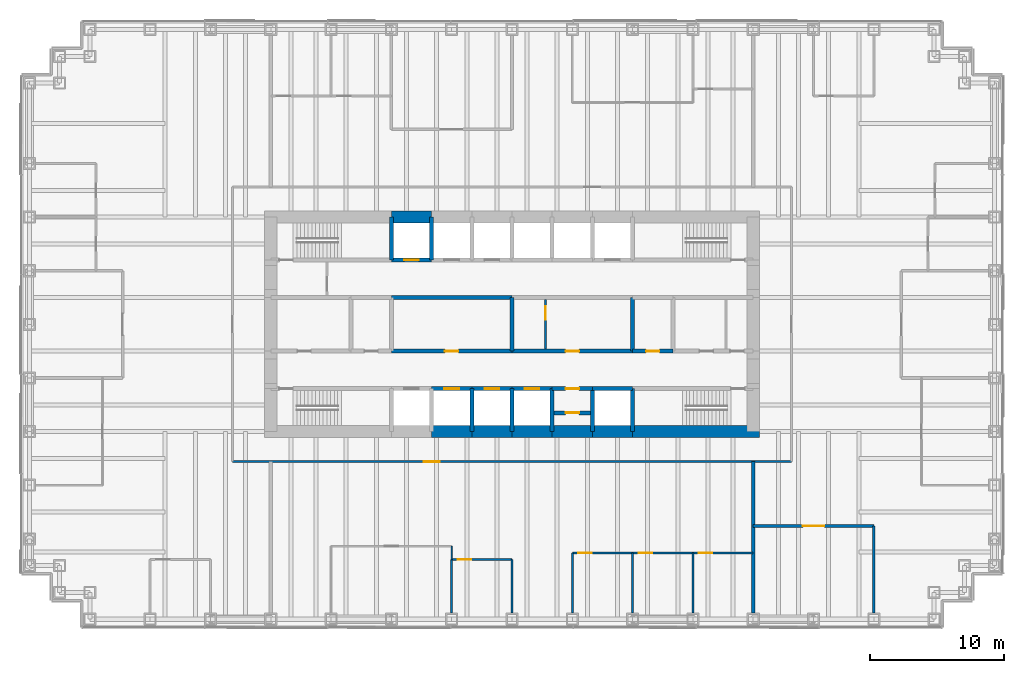
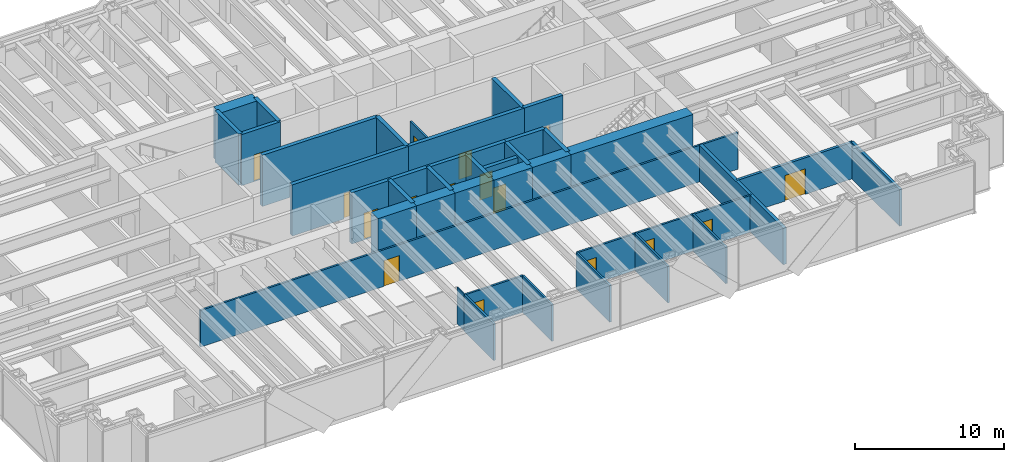
# One storey, part 12 of 15: 40 walls, 16 doors, 16 openings.
"""IFC4 building model written with IfcOpenShell, lengths in metres."""

from ifc_helpers import new_model, si_unit, direction, frame, frame_2d, origin, place, context, subcontext, project, spatial, rectangle, extrude, material, layer, layer_set, type_object, element, fill, save


model = new_model("IFC4")

# Units and contexts
model_context = context("Model", 3, precision=1e-05, world=origin(), true_north=direction((0.0, 1.0)))
body_context = subcontext(model_context, "Body", "Model", "MODEL_VIEW")
ifc_project = project(units=[si_unit("LENGTHUNIT", "METRE"), si_unit("AREAUNIT", "SQUARE_METRE"), si_unit("VOLUMEUNIT", "CUBIC_METRE"), si_unit("PLANEANGLEUNIT", "RADIAN"), si_unit("MASSUNIT", "GRAM", prefix="KILO")], contexts=[model_context])

# Site, building, storey
site_placement = place(None, origin())
site = spatial("IfcSite", under=ifc_project, at=site_placement, CompositionType="ELEMENT")
building_placement = place(site_placement, origin())
building = spatial("IfcBuilding", under=site, at=building_placement, Name="Rheinbord Bourse Tower", CompositionType="ELEMENT")
storey_placement = place(building_placement, frame((0.0, 0.0, 142.5)))
storey = spatial("IfcBuildingStorey", under=building, at=storey_placement, Name="L31", CompositionType="ELEMENT", Elevation=142.5)

# Wall, opening, door
ifc_material_1 = material(Name="Acoustic gypsum board partition", Category="gypsum board")
ifc_layer_1 = layer(ifc_material_1, 0.199951171875)
ifc_layer_set_1 = layer_set([ifc_layer_1], Name="ACOUSTIC PARTITION 200")
wall_type_1 = type_object("IfcWallType", Name="ACOUSTIC PARTITION 200", PredefinedType="PARTITIONING", material=ifc_layer_set_1)
wall_1_placement = place(storey_placement, frame((54.0, 8.949951171875, 0.0), z_axis=(0.0, 0.0, 1.0), x_axis=(1.0, 0.0, 0.0)))
wall_1 = element("IfcWall", 1, at=wall_1_placement, inside=storey, type_object=wall_type_1, Name="Partition L31-05", PredefinedType="PARTITIONING", context=body_context, shape_type="SweptSolid", body=[
    extrude(rectangle(XDim=9.0, YDim=0.199951171875, at=frame_2d((4.5, 0.0))), origin(), (0.0, 0.0, 1.0), 3.0),
])
opening_1_placement = place(wall_1_placement, frame((3.699951171875, 0.0, 0.0)))
opening_1 = element("IfcOpeningElement", 2, at=opening_1_placement, cuts=wall_1, Name="Opening 31D07", PredefinedType="OPENING", context=body_context, shape_type="SweptSolid", body=[
    extrude(rectangle(XDim=1.60009765625, YDim=2.10009765625, at=frame_2d((0.800048828125, 1.050048828125))), frame((0.0, 0.10986328125, 0.0), z_axis=(0.0, -1.0, 0.0), x_axis=(1.0, 0.0, 0.0)), (0.0, 0.0, 1.0), 0.219970703125),
])
ifc_material_2 = material(Name="Timber door", Category="wood")
door_type_1 = type_object("IfcDoorType", Name="DOUBLE ROOM DOOR 1600", OperationType="DOUBLE_DOOR_DOUBLE_SWING", PredefinedType="DOOR", material=ifc_material_2)
door_1_placement = place(opening_1_placement, origin())
door_1 = element("IfcDoor", 3, at=door_1_placement, inside=storey, type_object=door_type_1, Name="Suite boardroom door L31", OperationType="SINGLE_SWING_LEFT", OverallHeight=2.10009765625, OverallWidth=1.60009765625, PredefinedType="DOOR", context=body_context, shape_type="SweptSolid", body=[
    extrude(rectangle(XDim=1.60009765625, YDim=2.10009765625, at=frame_2d((0.800048828125, 1.050048828125))), frame((0.0, 0.02490234375, 0.0), z_axis=(0.0, -1.0, 0.0), x_axis=(1.0, 0.0, 0.0)), (0.0, 0.0, 1.0), 0.050048828125),
])
fill(opening_1, door_1)

# Wall
wall_2_placement = place(storey_placement, frame((63.0, 2.449951171875, 0.0), z_axis=(0.0, 0.0, 1.0), x_axis=(0.0, 1.0, 0.0)))
element("IfcWall", 4, at=wall_2_placement, inside=storey, type_object=wall_type_1, Name="Partition L31-48", PredefinedType="PARTITIONING", context=body_context, shape_type="SweptSolid", body=[
    extrude(rectangle(XDim=6.5, YDim=0.199951171875, at=frame_2d((3.25, 0.0))), origin(), (0.0, 0.0, 1.0), 3.0),
])

# Wall, opening, door
ifc_material_3 = material(Name="Concrete C50/60", Category="concrete")
ifc_layer_2 = layer(ifc_material_3, 0.300048828125)
ifc_layer_set_2 = layer_set([ifc_layer_2], Name="CORE INNER WALL 300")
wall_type_2 = type_object("IfcWallType", Name="CORE INNER WALL 300", PredefinedType="SOLIDWALL", material=ifc_layer_set_2)
wall_3_placement = place(storey_placement, frame((30.0, 19.199951171875, 0.0), z_axis=(0.0, 0.0, 1.0), x_axis=(1.0, 0.0, 0.0)))
wall_3 = element("IfcWall", 5, at=wall_3_placement, inside=storey, type_object=wall_type_2, Name="Core wall A3 L31", PredefinedType="SOLIDWALL", context=body_context, shape_type="SweptSolid", body=[
    extrude(rectangle(XDim=3.0, YDim=0.300048828125, at=frame_2d((1.5, 0.0))), origin(), (0.0, 0.0, 1.0), 4.199951171875),
])
opening_2_placement = place(wall_3_placement, frame((0.949951171875, 0.0, 0.0)))
opening_2 = element("IfcOpeningElement", 6, at=opening_2_placement, cuts=wall_3, Name="Opening PB1", PredefinedType="OPENING", context=body_context, shape_type="SweptSolid", body=[
    extrude(rectangle(XDim=1.10009765625, YDim=2.199951171875, at=frame_2d((0.550048828125, 1.10009765625))), frame((0.0, 0.159912109375, 0.0), z_axis=(0.0, -1.0, 0.0), x_axis=(1.0, 0.0, 0.0)), (0.0, 0.0, 1.0), 0.320068359375),
])
ifc_material_4 = material(Name="Steel landing door", Category="steel")
door_type_2 = type_object("IfcDoorType", Name="LIFT LANDING DOOR 1100", OperationType="DOUBLE_DOOR_SLIDING", PredefinedType="USERDEFINED", material=ifc_material_4)
door_2_placement = place(opening_2_placement, origin())
door_2 = element("IfcDoor", 7, at=door_2_placement, inside=storey, type_object=door_type_2, Name="Lift landing door PB1 L31", ObjectType="LIFT LANDING DOOR", OperationType="DOUBLE_DOOR_SLIDING", OverallHeight=2.199951171875, OverallWidth=1.10009765625, PredefinedType="USERDEFINED", context=body_context, shape_type="SweptSolid", body=[
    extrude(rectangle(XDim=1.10009765625, YDim=2.199951171875, at=frame_2d((0.550048828125, 1.10009765625))), frame((0.0, 0.02490234375, 0.0), z_axis=(0.0, -1.0, 0.0), x_axis=(1.0, 0.0, 0.0)), (0.0, 0.0, 1.0), 0.050048828125),
])
fill(opening_2, door_2)

wall_4_placement = place(storey_placement, frame((33.0, 19.199951171875, 0.0), z_axis=(0.0, 0.0, 1.0), x_axis=(1.0, 0.0, 0.0)))
wall_4 = element("IfcWall", 8, at=wall_4_placement, inside=storey, type_object=wall_type_2, Name="Core wall A4 L31", PredefinedType="SOLIDWALL", context=body_context, shape_type="SweptSolid", body=[
    extrude(rectangle(XDim=3.0, YDim=0.300048828125, at=frame_2d((1.5, 0.0))), origin(), (0.0, 0.0, 1.0), 4.199951171875),
])
opening_3_placement = place(wall_4_placement, frame((0.949951171875, 0.0, 0.0)))
opening_3 = element("IfcOpeningElement", 9, at=opening_3_placement, cuts=wall_4, Name="Opening PB2", PredefinedType="OPENING", context=body_context, shape_type="SweptSolid", body=[
    extrude(rectangle(XDim=1.10009765625, YDim=2.199951171875, at=frame_2d((0.550048828125, 1.10009765625))), frame((0.0, 0.159912109375, 0.0), z_axis=(0.0, -1.0, 0.0), x_axis=(1.0, 0.0, 0.0)), (0.0, 0.0, 1.0), 0.320068359375),
])
door_3_placement = place(opening_3_placement, origin())
door_3 = element("IfcDoor", 10, at=door_3_placement, inside=storey, type_object=door_type_2, Name="Lift landing door PB2 L31", ObjectType="LIFT LANDING DOOR", OperationType="DOUBLE_DOOR_SLIDING", OverallHeight=2.199951171875, OverallWidth=1.10009765625, PredefinedType="USERDEFINED", context=body_context, shape_type="SweptSolid", body=[
    extrude(rectangle(XDim=1.10009765625, YDim=2.199951171875, at=frame_2d((0.550048828125, 1.10009765625))), frame((0.0, 0.02490234375, 0.0), z_axis=(0.0, -1.0, 0.0), x_axis=(1.0, 0.0, 0.0)), (0.0, 0.0, 1.0), 0.050048828125),
])
fill(opening_3, door_3)

wall_5_placement = place(storey_placement, frame((36.0, 19.199951171875, 0.0), z_axis=(0.0, 0.0, 1.0), x_axis=(1.0, 0.0, 0.0)))
wall_5 = element("IfcWall", 11, at=wall_5_placement, inside=storey, type_object=wall_type_2, Name="Core wall A5 L31", PredefinedType="SOLIDWALL", context=body_context, shape_type="SweptSolid", body=[
    extrude(rectangle(XDim=3.0, YDim=0.300048828125, at=frame_2d((1.5, 0.0))), origin(), (0.0, 0.0, 1.0), 4.199951171875),
])
opening_4_placement = place(wall_5_placement, frame((0.949951171875, 0.0, 0.0)))
opening_4 = element("IfcOpeningElement", 12, at=opening_4_placement, cuts=wall_5, Name="Opening PB3", PredefinedType="OPENING", context=body_context, shape_type="SweptSolid", body=[
    extrude(rectangle(XDim=1.10009765625, YDim=2.199951171875, at=frame_2d((0.550048828125, 1.10009765625))), frame((0.0, 0.159912109375, 0.0), z_axis=(0.0, -1.0, 0.0), x_axis=(1.0, 0.0, 0.0)), (0.0, 0.0, 1.0), 0.320068359375),
])
door_4_placement = place(opening_4_placement, origin())
door_4 = element("IfcDoor", 13, at=door_4_placement, inside=storey, type_object=door_type_2, Name="Lift landing door PB3 L31", ObjectType="LIFT LANDING DOOR", OperationType="DOUBLE_DOOR_SLIDING", OverallHeight=2.199951171875, OverallWidth=1.10009765625, PredefinedType="USERDEFINED", context=body_context, shape_type="SweptSolid", body=[
    extrude(rectangle(XDim=1.10009765625, YDim=2.199951171875, at=frame_2d((0.550048828125, 1.10009765625))), frame((0.0, 0.02490234375, 0.0), z_axis=(0.0, -1.0, 0.0), x_axis=(1.0, 0.0, 0.0)), (0.0, 0.0, 1.0), 0.050048828125),
])
fill(opening_4, door_4)

wall_6_placement = place(storey_placement, frame((39.0, 19.199951171875, 0.0), z_axis=(0.0, 0.0, 1.0), x_axis=(1.0, 0.0, 0.0)))
wall_6 = element("IfcWall", 14, at=wall_6_placement, inside=storey, type_object=wall_type_2, Name="Core wall A6 L31", PredefinedType="SOLIDWALL", context=body_context, shape_type="SweptSolid", body=[
    extrude(rectangle(XDim=3.0, YDim=0.300048828125, at=frame_2d((1.5, 0.0))), origin(), (0.0, 0.0, 1.0), 4.199951171875),
])
opening_5_placement = place(wall_6_placement, frame((1.0, 0.0, 0.0)))
opening_5 = element("IfcOpeningElement", 15, at=opening_5_placement, cuts=wall_6, Name="Opening 31R8", PredefinedType="OPENING", context=body_context, shape_type="SweptSolid", body=[
    extrude(rectangle(XDim=1.0, YDim=2.10009765625, at=frame_2d((0.5, 1.050048828125))), frame((0.0, 0.159912109375, 0.0), z_axis=(0.0, -1.0, 0.0), x_axis=(1.0, 0.0, 0.0)), (0.0, 0.0, 1.0), 0.320068359375),
])
ifc_material_5 = material(Name="Steel door", Category="steel")
door_type_3 = type_object("IfcDoorType", Name="DOOR 1000 EI30", OperationType="SINGLE_SWING_LEFT", PredefinedType="DOOR", material=ifc_material_5)
door_5_placement = place(opening_5_placement, origin())
door_5 = element("IfcDoor", 16, at=door_5_placement, inside=storey, type_object=door_type_3, Name="IT room door L31", OperationType="SINGLE_SWING_LEFT", OverallHeight=2.10009765625, OverallWidth=1.0, PredefinedType="DOOR", context=body_context, shape_type="SweptSolid", body=[
    extrude(rectangle(XDim=1.0, YDim=2.10009765625, at=frame_2d((0.5, 1.050048828125))), frame((0.0, 0.02490234375, 0.0), z_axis=(0.0, -1.0, 0.0), x_axis=(1.0, 0.0, 0.0)), (0.0, 0.0, 1.0), 0.050048828125),
])
fill(opening_5, door_5)

# Wall
wall_7_placement = place(storey_placement, frame((42.0, 19.199951171875, 0.0), z_axis=(0.0, 0.0, 1.0), x_axis=(1.0, 0.0, 0.0)))
element("IfcWall", 17, at=wall_7_placement, inside=storey, type_object=wall_type_2, Name="Core wall A7 L31", PredefinedType="SOLIDWALL", context=body_context, shape_type="SweptSolid", body=[
    extrude(rectangle(XDim=3.0, YDim=0.300048828125, at=frame_2d((1.5, 0.0))), origin(), (0.0, 0.0, 1.0), 4.199951171875),
])

# Wall, opening, door
wall_8_placement = place(storey_placement, frame((27.0, 28.800048828125, 0.0), z_axis=(0.0, 0.0, 1.0), x_axis=(1.0, 0.0, 0.0)))
wall_8 = element("IfcWall", 18, at=wall_8_placement, inside=storey, type_object=wall_type_2, Name="Core wall B2 L31", PredefinedType="SOLIDWALL", context=body_context, shape_type="SweptSolid", body=[
    extrude(rectangle(XDim=3.0, YDim=0.300048828125, at=frame_2d((1.5, 0.0))), origin(), (0.0, 0.0, 1.0), 4.199951171875),
])
opening_6_placement = place(wall_8_placement, frame((0.949951171875, 0.0, 0.0)))
opening_6 = element("IfcOpeningElement", 19, at=opening_6_placement, cuts=wall_8, Name="Opening GL1", PredefinedType="OPENING", context=body_context, shape_type="SweptSolid", body=[
    extrude(rectangle(XDim=1.10009765625, YDim=2.199951171875, at=frame_2d((0.550048828125, 1.10009765625))), frame((0.0, 0.159912109375, 0.0), z_axis=(0.0, -1.0, 0.0), x_axis=(1.0, 0.0, 0.0)), (0.0, 0.0, 1.0), 0.320068359375),
])
door_6_placement = place(opening_6_placement, origin())
door_6 = element("IfcDoor", 20, at=door_6_placement, inside=storey, type_object=door_type_2, Name="Lift landing door GL1 L31", ObjectType="LIFT LANDING DOOR", OperationType="DOUBLE_DOOR_SLIDING", OverallHeight=2.199951171875, OverallWidth=1.10009765625, PredefinedType="USERDEFINED", context=body_context, shape_type="SweptSolid", body=[
    extrude(rectangle(XDim=1.10009765625, YDim=2.199951171875, at=frame_2d((0.550048828125, 1.10009765625))), frame((0.0, 0.02490234375, 0.0), z_axis=(0.0, -1.0, 0.0), x_axis=(1.0, 0.0, 0.0)), (0.0, 0.0, 1.0), 0.050048828125),
])
fill(opening_6, door_6)

wall_9_placement = place(storey_placement, frame((27.0, 22.0, 0.0), z_axis=(0.0, 0.0, 1.0), x_axis=(1.0, 0.0, 0.0)))
wall_9 = element("IfcWall", 21, at=wall_9_placement, inside=storey, type_object=wall_type_2, Name="Core wall C3 L31", PredefinedType="SOLIDWALL", context=body_context, shape_type="SweptSolid", body=[
    extrude(rectangle(XDim=9.0, YDim=0.300048828125, at=frame_2d((4.5, 0.0))), origin(), (0.0, 0.0, 1.0), 4.199951171875),
])
opening_7_placement = place(wall_9_placement, frame((4.0, 0.0, 0.0)))
opening_7 = element("IfcOpeningElement", 22, at=opening_7_placement, cuts=wall_9, Name="Opening 31R3", PredefinedType="OPENING", context=body_context, shape_type="SweptSolid", body=[
    extrude(rectangle(XDim=1.0, YDim=2.10009765625, at=frame_2d((0.5, 1.050048828125))), frame((0.0, 0.159912109375, 0.0), z_axis=(0.0, -1.0, 0.0), x_axis=(1.0, 0.0, 0.0)), (0.0, 0.0, 1.0), 0.320068359375),
])
door_7_placement = place(opening_7_placement, origin())
door_7 = element("IfcDoor", 23, at=door_7_placement, inside=storey, type_object=door_type_3, Name="Riser door L31", OperationType="SINGLE_SWING_LEFT", OverallHeight=2.10009765625, OverallWidth=1.0, PredefinedType="DOOR", context=body_context, shape_type="SweptSolid", body=[
    extrude(rectangle(XDim=1.0, YDim=2.10009765625, at=frame_2d((0.5, 1.050048828125))), frame((0.0, 0.02490234375, 0.0), z_axis=(0.0, -1.0, 0.0), x_axis=(1.0, 0.0, 0.0)), (0.0, 0.0, 1.0), 0.050048828125),
])
fill(opening_7, door_7)

wall_10_placement = place(storey_placement, frame((36.0, 22.0, 0.0), z_axis=(0.0, 0.0, 1.0), x_axis=(1.0, 0.0, 0.0)))
wall_10 = element("IfcWall", 24, at=wall_10_placement, inside=storey, type_object=wall_type_2, Name="Core wall C4 L31", PredefinedType="SOLIDWALL", context=body_context, shape_type="SweptSolid", body=[
    extrude(rectangle(XDim=9.0, YDim=0.300048828125, at=frame_2d((4.5, 0.0))), origin(), (0.0, 0.0, 1.0), 4.199951171875),
])
opening_8_placement = place(wall_10_placement, frame((4.0, 0.0, 0.0)))
opening_8 = element("IfcOpeningElement", 25, at=opening_8_placement, cuts=wall_10, Name="Opening 31R4", PredefinedType="OPENING", context=body_context, shape_type="SweptSolid", body=[
    extrude(rectangle(XDim=1.0, YDim=2.10009765625, at=frame_2d((0.5, 1.050048828125))), frame((0.0, 0.159912109375, 0.0), z_axis=(0.0, -1.0, 0.0), x_axis=(1.0, 0.0, 0.0)), (0.0, 0.0, 1.0), 0.320068359375),
])
door_8_placement = place(opening_8_placement, origin())
door_8 = element("IfcDoor", 26, at=door_8_placement, inside=storey, type_object=door_type_3, Name="Store door L31", OperationType="SINGLE_SWING_LEFT", OverallHeight=2.10009765625, OverallWidth=1.0, PredefinedType="DOOR", context=body_context, shape_type="SweptSolid", body=[
    extrude(rectangle(XDim=1.0, YDim=2.10009765625, at=frame_2d((0.5, 1.050048828125))), frame((0.0, 0.02490234375, 0.0), z_axis=(0.0, -1.0, 0.0), x_axis=(1.0, 0.0, 0.0)), (0.0, 0.0, 1.0), 0.050048828125),
])
fill(opening_8, door_8)

wall_11_placement = place(storey_placement, frame((45.0, 22.0, 0.0), z_axis=(0.0, 0.0, 1.0), x_axis=(1.0, 0.0, 0.0)))
wall_11 = element("IfcWall", 27, at=wall_11_placement, inside=storey, type_object=wall_type_2, Name="Core wall C5 L31", PredefinedType="SOLIDWALL", context=body_context, shape_type="SweptSolid", body=[
    extrude(rectangle(XDim=3.0, YDim=0.300048828125, at=frame_2d((1.5, 0.0))), origin(), (0.0, 0.0, 1.0), 4.199951171875),
])
opening_9_placement = place(wall_11_placement, frame((1.0, 0.0, 0.0)))
opening_9 = element("IfcOpeningElement", 28, at=opening_9_placement, cuts=wall_11, Name="Opening 31R5", PredefinedType="OPENING", context=body_context, shape_type="SweptSolid", body=[
    extrude(rectangle(XDim=1.0, YDim=2.10009765625, at=frame_2d((0.5, 1.050048828125))), frame((0.0, 0.159912109375, 0.0), z_axis=(0.0, -1.0, 0.0), x_axis=(1.0, 0.0, 0.0)), (0.0, 0.0, 1.0), 0.320068359375),
])
ifc_material_6 = material(Name="Timber door", Category="wood")
door_type_4 = type_object("IfcDoorType", Name="DOOR 1000 WC", OperationType="SINGLE_SWING_LEFT", PredefinedType="DOOR", material=ifc_material_6)
door_9_placement = place(opening_9_placement, origin())
door_9 = element("IfcDoor", 29, at=door_9_placement, inside=storey, type_object=door_type_4, Name="Accessible WC door L31", OperationType="SINGLE_SWING_LEFT", OverallHeight=2.10009765625, OverallWidth=1.0, PredefinedType="DOOR", context=body_context, shape_type="SweptSolid", body=[
    extrude(rectangle(XDim=1.0, YDim=2.10009765625, at=frame_2d((0.5, 1.050048828125))), frame((0.0, 0.02490234375, 0.0), z_axis=(0.0, -1.0, 0.0), x_axis=(1.0, 0.0, 0.0)), (0.0, 0.0, 1.0), 0.050048828125),
])
fill(opening_9, door_9)

# Walls
wall_12_placement = place(storey_placement, frame((27.0, 26.0, 0.0), z_axis=(0.0, 0.0, 1.0), x_axis=(1.0, 0.0, 0.0)))
element("IfcWall", 30, at=wall_12_placement, inside=storey, type_object=wall_type_2, Name="Core wall D3 L31", PredefinedType="SOLIDWALL", context=body_context, shape_type="SweptSolid", body=[
    extrude(rectangle(XDim=9.0, YDim=0.300048828125, at=frame_2d((4.5, 0.0))), origin(), (0.0, 0.0, 1.0), 4.199951171875),
])
for number, where, z_axis, x_axis, name in (
    (31, (27.0, 28.800048828125, 0.0), (0.0, 0.0, 1.0), (0.0, 1.0, 0.0), "Core wall NX27 L31"),
    (32, (30.0, 28.800048828125, 0.0), (0.0, 0.0, 1.0), (0.0, 1.0, 0.0), "Core wall NX30 L31"),
    (33, (33.0, 16.0, 0.0), (0.0, 0.0, 1.0), (0.0, 1.0, 0.0), "Core wall SX33 L31"),
    (34, (36.0, 16.0, 0.0), (0.0, 0.0, 1.0), (0.0, 1.0, 0.0), "Core wall SX36 L31"),
    (35, (39.0, 16.0, 0.0), (0.0, 0.0, 1.0), (0.0, 1.0, 0.0), "Core wall SX39 L31"),
    (36, (42.0, 16.0, 0.0), (0.0, 0.0, 1.0), (0.0, 1.0, 0.0), "Core wall SX42 L31"),
    (37, (45.0, 16.0, 0.0), (0.0, 0.0, 1.0), (0.0, 1.0, 0.0), "Core wall SX45 L31"),
):
    element("IfcWall", number, at=place(storey_placement, frame(where, z_axis=z_axis, x_axis=x_axis)), inside=storey, type_object=wall_type_2, Name=name, PredefinedType="SOLIDWALL", context=body_context, shape_type="SweptSolid", body=[
        extrude(rectangle(XDim=3.199951171875, YDim=0.300048828125, at=frame_2d((1.60009765625, 0.0))), origin(), (0.0, 0.0, 1.0), 4.199951171875),
    ])
for number, where, z_axis, x_axis, name in (
    (38, (36.0, 22.0, 0.0), (0.0, 0.0, 1.0), (0.0, 1.0, 0.0), "Core wall MX36 L31"),
    (39, (45.0, 22.0, 0.0), (0.0, 0.0, 1.0), (0.0, 1.0, 0.0), "Core wall MX45 L31"),
):
    element("IfcWall", number, at=place(storey_placement, frame(where, z_axis=z_axis, x_axis=x_axis)), inside=storey, type_object=wall_type_2, Name=name, PredefinedType="SOLIDWALL", context=body_context, shape_type="SweptSolid", body=[
        extrude(rectangle(XDim=4.0, YDim=0.300048828125, at=frame_2d((2.0, 0.0))), origin(), (0.0, 0.0, 1.0), 4.199951171875),
    ])

# Wall, opening, door
wall_13_placement = place(storey_placement, frame((39.14990234375, 17.39990234375, 0.0), z_axis=(0.0, 0.0, 1.0), x_axis=(1.0, 0.0, 0.0)))
wall_13 = element("IfcWall", 40, at=wall_13_placement, inside=storey, type_object=wall_type_2, Name="Core riser wall L31-6", PredefinedType="SOLIDWALL", context=body_context, shape_type="SweptSolid", body=[
    extrude(rectangle(XDim=2.7001953125, YDim=0.300048828125, at=frame_2d((1.35009765625, 0.0))), origin(), (0.0, 0.0, 1.0), 4.0400390625),
])
opening_10_placement = place(wall_13_placement, frame((0.85009765625, 0.0, 0.0)))
opening_10 = element("IfcOpeningElement", 41, at=opening_10_placement, cuts=wall_13, Name="Opening 31R12", PredefinedType="OPENING", context=body_context, shape_type="SweptSolid", body=[
    extrude(rectangle(XDim=1.0, YDim=2.10009765625, at=frame_2d((0.5, 1.050048828125))), frame((0.0, 0.159912109375, 0.0), z_axis=(0.0, -1.0, 0.0), x_axis=(1.0, 0.0, 0.0)), (0.0, 0.0, 1.0), 0.320068359375),
])
door_10_placement = place(opening_10_placement, origin())
door_10 = element("IfcDoor", 42, at=door_10_placement, inside=storey, type_object=door_type_3, Name="Comms riser door L31", OperationType="SINGLE_SWING_LEFT", OverallHeight=2.10009765625, OverallWidth=1.0, PredefinedType="DOOR", context=body_context, shape_type="SweptSolid", body=[
    extrude(rectangle(XDim=1.0, YDim=2.10009765625, at=frame_2d((0.5, 1.050048828125))), frame((0.0, 0.02490234375, 0.0), z_axis=(0.0, -1.0, 0.0), x_axis=(1.0, 0.0, 0.0)), (0.0, 0.0, 1.0), 0.050048828125),
])
fill(opening_10, door_10)

ifc_material_7 = material(Name="Gypsum board fire partition", Category="gypsum board")
ifc_layer_3 = layer(ifc_material_7, 0.14990234375)
ifc_layer_set_3 = layer_set([ifc_layer_3], Name="CORE PARTITION 150 EI30")
wall_type_3 = type_object("IfcWallType", Name="CORE PARTITION 150 EI30", PredefinedType="PARTITIONING", material=ifc_layer_set_3)
wall_14_placement = place(storey_placement, frame((38.5, 22.14990234375, 0.0), z_axis=(0.0, 0.0, 1.0), x_axis=(0.0, 1.0, 0.0)))
wall_14 = element("IfcWall", 43, at=wall_14_placement, inside=storey, type_object=wall_type_3, Name="Core partition L31-1", PredefinedType="PARTITIONING", context=body_context, shape_type="SweptSolid", body=[
    extrude(rectangle(XDim=3.7001953125, YDim=0.14990234375, at=frame_2d((1.85009765625, 0.0))), origin(), (0.0, 0.0, 1.0), 3.0),
])
opening_11_placement = place(wall_14_placement, frame((2.199951171875, 0.0, 0.0)))
opening_11 = element("IfcOpeningElement", 44, at=opening_11_placement, cuts=wall_14, Name="Opening 31R7", PredefinedType="OPENING", context=body_context, shape_type="SweptSolid", body=[
    extrude(rectangle(XDim=1.0, YDim=2.10009765625, at=frame_2d((0.5, 1.050048828125))), frame((0.0, 0.0849609375, 0.0), z_axis=(0.0, -1.0, 0.0), x_axis=(1.0, 0.0, 0.0)), (0.0, 0.0, 1.0), 0.169921875),
])
door_11_placement = place(opening_11_placement, origin())
door_11 = element("IfcDoor", 45, at=door_11_placement, inside=storey, type_object=door_type_3, Name="Furniture store door L31", OperationType="SINGLE_SWING_RIGHT", OverallHeight=2.10009765625, OverallWidth=1.0, PredefinedType="DOOR", context=body_context, shape_type="SweptSolid", body=[
    extrude(rectangle(XDim=1.0, YDim=2.10009765625, at=frame_2d((0.5, 1.050048828125))), frame((0.0, 0.02490234375, 0.0), z_axis=(0.0, -1.0, 0.0), x_axis=(1.0, 0.0, 0.0)), (0.0, 0.0, 1.0), 0.050048828125),
])
fill(opening_11, door_11)

# Walls
ifc_material_8 = material(Name="Concrete C50/60", Category="concrete")
ifc_layer_4 = layer(ifc_material_8, 0.89990234375)
ifc_layer_set_4 = layer_set([ifc_layer_4], Name="CORE WALL 900")
wall_type_4 = type_object("IfcWallType", Name="CORE WALL 900", PredefinedType="SHEAR", material=ifc_layer_set_4)
for number, where, z_axis, x_axis, name in (
    (46, (30.0, 16.0, 0.0), (0.0, 0.0, 1.0), (1.0, 0.0, 0.0), "Core wall S3 L31"),
    (47, (33.0, 16.0, 0.0), (0.0, 0.0, 1.0), (1.0, 0.0, 0.0), "Core wall S4 L31"),
    (48, (36.0, 16.0, 0.0), (0.0, 0.0, 1.0), (1.0, 0.0, 0.0), "Core wall S5 L31"),
    (49, (39.0, 16.0, 0.0), (0.0, 0.0, 1.0), (1.0, 0.0, 0.0), "Core wall S6 L31"),
    (50, (42.0, 16.0, 0.0), (0.0, 0.0, 1.0), (1.0, 0.0, 0.0), "Core wall S7 L31"),
):
    element("IfcWall", number, at=place(storey_placement, frame(where, z_axis=z_axis, x_axis=x_axis)), inside=storey, type_object=wall_type_4, Name=name, PredefinedType="SHEAR", context=body_context, shape_type="SweptSolid", body=[
        extrude(rectangle(XDim=3.0, YDim=0.89990234375, at=frame_2d((1.5, 0.0))), origin(), (0.0, 0.0, 1.0), 4.199951171875),
    ])
wall_15_placement = place(storey_placement, frame((45.0, 16.0, 0.0), z_axis=(0.0, 0.0, 1.0), x_axis=(1.0, 0.0, 0.0)))
element("IfcWall", 51, at=wall_15_placement, inside=storey, type_object=wall_type_4, Name="Core wall S8 L31", PredefinedType="SHEAR", context=body_context, shape_type="SweptSolid", body=[
    extrude(rectangle(XDim=9.449951171875, YDim=0.89990234375, at=frame_2d((4.72509765625, 0.0))), origin(), (0.0, 0.0, 1.0), 4.199951171875),
])
wall_16_placement = place(storey_placement, frame((30.0, 32.0, 0.0), z_axis=(0.0, 0.0, 1.0), x_axis=(-1.0, 0.0, 0.0)))
element("IfcWall", 52, at=wall_16_placement, inside=storey, type_object=wall_type_4, Name="Core wall N7 L31", PredefinedType="SHEAR", context=body_context, shape_type="SweptSolid", body=[
    extrude(rectangle(XDim=3.0, YDim=0.89990234375, at=frame_2d((1.5, 0.0))), origin(), (0.0, 0.0, 1.0), 4.199951171875),
])

# Wall, opening, door
ifc_material_9 = material(Name="Gypsum board corridor partition", Category="gypsum board")
ifc_layer_5 = layer(ifc_material_9, 0.14990234375)
ifc_layer_set_5 = layer_set([ifc_layer_5], Name="CORRIDOR PARTITION 150 EI30")
wall_type_5 = type_object("IfcWallType", Name="CORRIDOR PARTITION 150 EI30", PredefinedType="PARTITIONING", material=ifc_layer_set_5)
wall_17_placement = place(storey_placement, frame((15.14990234375, 13.75, 0.0), z_axis=(0.0, 0.0, 1.0), x_axis=(1.0, 0.0, 0.0)))
wall_17 = element("IfcWall", 53, at=wall_17_placement, inside=storey, type_object=wall_type_5, Name="Partition L31-08", PredefinedType="PARTITIONING", context=body_context, shape_type="SweptSolid", body=[
    extrude(rectangle(XDim=41.7001953125, YDim=0.14990234375, at=frame_2d((20.85009765625, 0.0))), origin(), (0.0, 0.0, 1.0), 3.0),
])
opening_12_placement = place(wall_17_placement, frame((14.25, 0.0, 0.0)))
opening_12 = element("IfcOpeningElement", 54, at=opening_12_placement, cuts=wall_17, Name="Opening 31D23", PredefinedType="OPENING", context=body_context, shape_type="SweptSolid", body=[
    extrude(rectangle(XDim=1.199951171875, YDim=2.10009765625, at=frame_2d((0.60009765625, 1.050048828125))), frame((0.0, 0.0849609375, 0.0), z_axis=(0.0, -1.0, 0.0), x_axis=(1.0, 0.0, 0.0)), (0.0, 0.0, 1.0), 0.169921875),
])
ifc_material_10 = material(Name="Timber fire door", Category="wood")
door_type_5 = type_object("IfcDoorType", Name="SUITE ENTRANCE DOOR 1200 EI30", OperationType="SINGLE_SWING_LEFT", PredefinedType="DOOR", material=ifc_material_10)
door_12_placement = place(opening_12_placement, origin())
door_12 = element("IfcDoor", 55, at=door_12_placement, inside=storey, type_object=door_type_5, Name="Suite entrance 2 door L31", OperationType="SINGLE_SWING_LEFT", OverallHeight=2.10009765625, OverallWidth=1.199951171875, PredefinedType="DOOR", context=body_context, shape_type="SweptSolid", body=[
    extrude(rectangle(XDim=1.199951171875, YDim=2.10009765625, at=frame_2d((0.60009765625, 1.050048828125))), frame((0.0, 0.02490234375, 0.0), z_axis=(0.0, -1.0, 0.0), x_axis=(1.0, 0.0, 0.0)), (0.0, 0.0, 1.0), 0.050048828125),
])
fill(opening_12, door_12)

# Walls
ifc_material_11 = material(Name="Gypsum board tenancy wall", Category="gypsum board")
ifc_layer_6 = layer(ifc_material_11, 0.25)
ifc_layer_set_6 = layer_set([ifc_layer_6], Name="DEMISING PARTITION 250 EI60")
wall_type_6 = type_object("IfcWallType", Name="DEMISING PARTITION 250 EI60", PredefinedType="PARTITIONING", material=ifc_layer_set_6)
wall_18_placement = place(storey_placement, frame((54.0, 2.449951171875, 0.0), z_axis=(0.0, 0.0, 1.0), x_axis=(0.0, 1.0, 0.0)))
element("IfcWall", 56, at=wall_18_placement, inside=storey, type_object=wall_type_6, Name="Partition L31-44", PredefinedType="PARTITIONING", context=body_context, shape_type="SweptSolid", body=[
    extrude(rectangle(XDim=11.300048828125, YDim=0.25, at=frame_2d((5.64990234375, 0.0))), origin(), (0.0, 0.0, 1.0), 3.0),
])
ifc_material_12 = material(Name="Toughened laminated glass partition", Category="glass")
ifc_layer_7 = layer(ifc_material_12, 0.10009765625)
ifc_layer_set_7 = layer_set([ifc_layer_7], Name="GLAZED PARTITION 100")
wall_type_7 = type_object("IfcWallType", Name="GLAZED PARTITION 100", PredefinedType="PARTITIONING", material=ifc_layer_set_7)
wall_19_placement = place(storey_placement, frame((31.5, 6.449951171875, 0.0), z_axis=(0.0, 0.0, 1.0), x_axis=(0.0, 1.0, 0.0)))
element("IfcWall", 57, at=wall_19_placement, inside=storey, type_object=wall_type_7, Name="Partition L31-35", PredefinedType="PARTITIONING", context=body_context, shape_type="SweptSolid", body=[
    extrude(rectangle(XDim=1.0, YDim=0.10009765625, at=frame_2d((0.5, 0.0))), origin(), (0.0, 0.0, 1.0), 3.0),
])

# Wall, opening, door
ifc_material_13 = material(Name="Gypsum board partition", Category="gypsum board")
ifc_layer_8 = layer(ifc_material_13, 0.14990234375)
ifc_layer_set_8 = layer_set([ifc_layer_8], Name="PARTITION 150")
wall_type_8 = type_object("IfcWallType", Name="PARTITION 150", PredefinedType="PARTITIONING", material=ifc_layer_set_8)
wall_20_placement = place(storey_placement, frame((31.5, 6.449951171875, 0.0), z_axis=(0.0, 0.0, 1.0), x_axis=(1.0, 0.0, 0.0)))
wall_20 = element("IfcWall", 58, at=wall_20_placement, inside=storey, type_object=wall_type_8, Name="Partition L31-02", PredefinedType="PARTITIONING", context=body_context, shape_type="SweptSolid", body=[
    extrude(rectangle(XDim=4.5, YDim=0.14990234375, at=frame_2d((2.25, 0.0))), origin(), (0.0, 0.0, 1.0), 3.0),
])
opening_13_placement = place(wall_20_placement, frame((0.449951171875, 0.0, 0.0)))
opening_13 = element("IfcOpeningElement", 59, at=opening_13_placement, cuts=wall_20, Name="Opening 31D02", PredefinedType="OPENING", context=body_context, shape_type="SweptSolid", body=[
    extrude(rectangle(XDim=1.0, YDim=2.10009765625, at=frame_2d((0.5, 1.050048828125))), frame((0.0, 0.0849609375, 0.0), z_axis=(0.0, -1.0, 0.0), x_axis=(1.0, 0.0, 0.0)), (0.0, 0.0, 1.0), 0.169921875),
])
ifc_material_14 = material(Name="Timber door", Category="wood")
door_type_6 = type_object("IfcDoorType", Name="ROOM DOOR 1000", OperationType="SINGLE_SWING_LEFT", PredefinedType="DOOR", material=ifc_material_14)
door_13_placement = place(opening_13_placement, origin())
door_13 = element("IfcDoor", 60, at=door_13_placement, inside=storey, type_object=door_type_6, Name="Kitchenette door L31", OperationType="SINGLE_SWING_LEFT", OverallHeight=2.10009765625, OverallWidth=1.0, PredefinedType="DOOR", context=body_context, shape_type="SweptSolid", body=[
    extrude(rectangle(XDim=1.0, YDim=2.10009765625, at=frame_2d((0.5, 1.050048828125))), frame((0.0, 0.02490234375, 0.0), z_axis=(0.0, -1.0, 0.0), x_axis=(1.0, 0.0, 0.0)), (0.0, 0.0, 1.0), 0.050048828125),
])
fill(opening_13, door_13)

# Wall, openings, doors
wall_21_placement = place(storey_placement, frame((40.5, 6.949951171875, 0.0), z_axis=(0.0, 0.0, 1.0), x_axis=(1.0, 0.0, 0.0)))
wall_21 = element("IfcWall", 61, at=wall_21_placement, inside=storey, type_object=wall_type_8, Name="Partition L31-03", PredefinedType="PARTITIONING", context=body_context, shape_type="SweptSolid", body=[
    extrude(rectangle(XDim=13.5, YDim=0.14990234375, at=frame_2d((6.75, 0.0))), origin(), (0.0, 0.0, 1.0), 3.0),
])
opening_14_placement = place(wall_21_placement, frame((0.449951171875, 0.0, 0.0)))
opening_14 = element("IfcOpeningElement", 62, at=opening_14_placement, cuts=wall_21, Name="Opening 31D03", PredefinedType="OPENING", context=body_context, shape_type="SweptSolid", body=[
    extrude(rectangle(XDim=1.0, YDim=2.10009765625, at=frame_2d((0.5, 1.050048828125))), frame((0.0, 0.0849609375, 0.0), z_axis=(0.0, -1.0, 0.0), x_axis=(1.0, 0.0, 0.0)), (0.0, 0.0, 1.0), 0.169921875),
])
opening_15_placement = place(wall_21_placement, frame((4.949951171875, 0.0, 0.0)))
opening_15 = element("IfcOpeningElement", 63, at=opening_15_placement, cuts=wall_21, Name="Opening 31D04", PredefinedType="OPENING", context=body_context, shape_type="SweptSolid", body=[
    extrude(rectangle(XDim=1.0, YDim=2.10009765625, at=frame_2d((0.5, 1.050048828125))), frame((0.0, 0.0849609375, 0.0), z_axis=(0.0, -1.0, 0.0), x_axis=(1.0, 0.0, 0.0)), (0.0, 0.0, 1.0), 0.169921875),
])
opening_16_placement = place(wall_21_placement, frame((9.449951171875, 0.0, 0.0)))
opening_16 = element("IfcOpeningElement", 64, at=opening_16_placement, cuts=wall_21, Name="Opening 31D05", PredefinedType="OPENING", context=body_context, shape_type="SweptSolid", body=[
    extrude(rectangle(XDim=1.0, YDim=2.10009765625, at=frame_2d((0.5, 1.050048828125))), frame((0.0, 0.0849609375, 0.0), z_axis=(0.0, -1.0, 0.0), x_axis=(1.0, 0.0, 0.0)), (0.0, 0.0, 1.0), 0.169921875),
])
door_14_placement = place(opening_14_placement, origin())
door_14 = element("IfcDoor", 65, at=door_14_placement, inside=storey, type_object=door_type_6, Name="Office door L31", OperationType="SINGLE_SWING_LEFT", OverallHeight=2.10009765625, OverallWidth=1.0, PredefinedType="DOOR", context=body_context, shape_type="SweptSolid", body=[
    extrude(rectangle(XDim=1.0, YDim=2.10009765625, at=frame_2d((0.5, 1.050048828125))), frame((0.0, 0.02490234375, 0.0), z_axis=(0.0, -1.0, 0.0), x_axis=(1.0, 0.0, 0.0)), (0.0, 0.0, 1.0), 0.050048828125),
])
fill(opening_14, door_14)
door_15_placement = place(opening_15_placement, origin())
door_15 = element("IfcDoor", 66, at=door_15_placement, inside=storey, type_object=door_type_6, Name="Office door L31", OperationType="SINGLE_SWING_LEFT", OverallHeight=2.10009765625, OverallWidth=1.0, PredefinedType="DOOR", context=body_context, shape_type="SweptSolid", body=[
    extrude(rectangle(XDim=1.0, YDim=2.10009765625, at=frame_2d((0.5, 1.050048828125))), frame((0.0, 0.02490234375, 0.0), z_axis=(0.0, -1.0, 0.0), x_axis=(1.0, 0.0, 0.0)), (0.0, 0.0, 1.0), 0.050048828125),
])
fill(opening_15, door_15)
door_16_placement = place(opening_16_placement, origin())
door_16 = element("IfcDoor", 67, at=door_16_placement, inside=storey, type_object=door_type_6, Name="Office door L31", OperationType="SINGLE_SWING_RIGHT", OverallHeight=2.10009765625, OverallWidth=1.0, PredefinedType="DOOR", context=body_context, shape_type="SweptSolid", body=[
    extrude(rectangle(XDim=1.0, YDim=2.10009765625, at=frame_2d((0.5, 1.050048828125))), frame((0.0, 0.02490234375, 0.0), z_axis=(0.0, -1.0, 0.0), x_axis=(1.0, 0.0, 0.0)), (0.0, 0.0, 1.0), 0.050048828125),
])
fill(opening_16, door_16)

# Walls
for number, where, z_axis, x_axis, name in (
    (68, (31.5, 2.449951171875, 0.0), (0.0, 0.0, 1.0), (0.0, 1.0, 0.0), "Partition L31-34"),
    (69, (36.0, 2.449951171875, 0.0), (0.0, 0.0, 1.0), (0.0, 1.0, 0.0), "Partition L31-36"),
):
    element("IfcWall", number, at=place(storey_placement, frame(where, z_axis=z_axis, x_axis=x_axis)), inside=storey, type_object=wall_type_8, Name=name, PredefinedType="PARTITIONING", context=body_context, shape_type="SweptSolid", body=[
        extrude(rectangle(XDim=4.0, YDim=0.14990234375, at=frame_2d((2.0, 0.0))), origin(), (0.0, 0.0, 1.0), 3.0),
    ])
for number, where, z_axis, x_axis, name in (
    (70, (40.5, 2.449951171875, 0.0), (0.0, 0.0, 1.0), (0.0, 1.0, 0.0), "Partition L31-38"),
    (71, (45.0, 2.449951171875, 0.0), (0.0, 0.0, 1.0), (0.0, 1.0, 0.0), "Partition L31-40"),
    (72, (49.5, 2.449951171875, 0.0), (0.0, 0.0, 1.0), (0.0, 1.0, 0.0), "Partition L31-41"),
):
    element("IfcWall", number, at=place(storey_placement, frame(where, z_axis=z_axis, x_axis=x_axis)), inside=storey, type_object=wall_type_8, Name=name, PredefinedType="PARTITIONING", context=body_context, shape_type="SweptSolid", body=[
        extrude(rectangle(XDim=4.5, YDim=0.14990234375, at=frame_2d((2.25, 0.0))), origin(), (0.0, 0.0, 1.0), 3.0),
    ])

save(model, "model.ifc")
